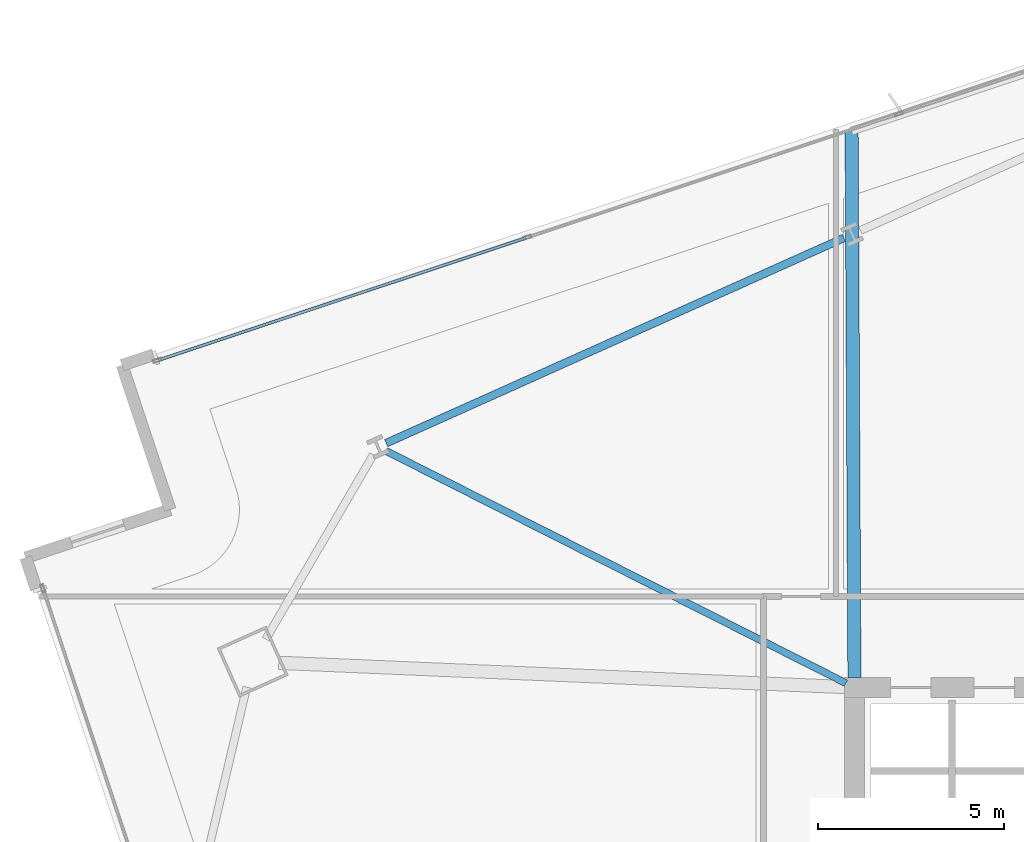
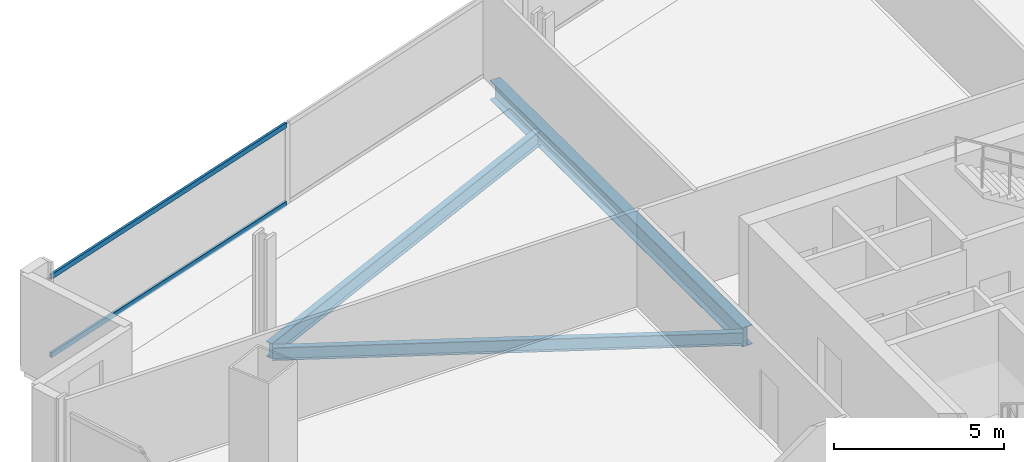
# One storey, part 17 of 34: 3 beams, 2 members, 1 element without a shape of its own.
"""IFC4 building model written with IfcOpenShell, lengths in metres."""

from ifc_helpers import new_model, si_unit, direction, frame, origin, origin_2d, place, context, subcontext, project, spatial, hollow_rectangle, i_section, extrude, material, material_profile, profile_set, type_object, element, aggregate, save


model = new_model("IFC4")

# Units and contexts
model_context = context("Model", 3, precision=1e-05, world=origin(), true_north=direction((0.0, 1.0)))
body_context = subcontext(model_context, "Body", "Model", "MODEL_VIEW")
ifc_project = project(units=[si_unit("LENGTHUNIT", "METRE"), si_unit("AREAUNIT", "SQUARE_METRE"), si_unit("VOLUMEUNIT", "CUBIC_METRE"), si_unit("PLANEANGLEUNIT", "RADIAN"), si_unit("MASSUNIT", "GRAM", prefix="KILO")], contexts=[model_context])

# Site, building, storey
site_placement = place(None, origin())
site = spatial("IfcSite", under=ifc_project, at=site_placement, CompositionType="ELEMENT")
building_placement = place(site_placement, origin())
building = spatial("IfcBuilding", under=site, at=building_placement, Name="Haldenkirk Collegiate Tower", CompositionType="ELEMENT")
storey_placement = place(building_placement, frame((0.0, 0.0, 90.449951171875)))
storey = spatial("IfcBuildingStorey", under=building, at=storey_placement, Name="L21", CompositionType="ELEMENT", Elevation=90.449951171875)

# Beams
ifc_material_1 = material(Name="Steel ASTM A992 Grade 50", Category="steel")
ifc_material_profile_1 = material_profile(ifc_material_1, i_section(OverallWidth=0.35498046875, OverallDepth=0.696044921875, WebThickness=0.015380859375, FlangeThickness=0.02490234375, at=origin_2d()), Name="W27X146")
ifc_profile_set_1 = profile_set([ifc_material_profile_1], Name="Steel ASTM A992 Grade 50")
beam_type_1 = type_object("IfcBeamType", Name="BM-GIRDER-W27X146", PredefinedType="BEAM", material=ifc_profile_set_1)
beam_1_placement = place(storey_placement, frame((26.923583984375, 48.990478515625, -0.64794921875), z_axis=(0.005102904218, -0.9999869801, 0.0), x_axis=(0.9999869801, 0.005102904218, 0.0)))
element("IfcBeam", 1, at=beam_1_placement, inside=storey, type_object=beam_type_1, Name="L21 primary floor girder 12", PredefinedType="BEAM", context=body_context, shape_type="SweptSolid", body=[
    extrude(i_section(OverallWidth=0.35498046875, OverallDepth=0.696044921875, WebThickness=0.015380859375, FlangeThickness=0.02490234375, at=origin_2d()), origin(), (0.0, 0.0, 1.0), 14.73583984375),
])
ifc_material_profile_2 = material_profile(ifc_material_1, i_section(OverallWidth=0.19189453125, OverallDepth=0.462890625, WebThickness=0.010498046875, FlangeThickness=0.017578125, at=origin_2d()), Name="W18X60")
ifc_profile_set_2 = profile_set([ifc_material_profile_2], Name="Steel ASTM A992 Grade 50")
beam_type_2 = type_object("IfcBeamType", Name="BM-JOIST-W18X60", PredefinedType="JOIST", material=ifc_profile_set_2)
beam_2_placement = place(storey_placement, frame((14.378662109375, 40.371337890625, -0.531494140625), z_axis=(0.892707841941, -0.450635893974, 0.0), x_axis=(0.450635893974, 0.892707841941, 0.0)))
element("IfcBeam", 2, at=beam_2_placement, inside=storey, type_object=beam_type_2, Name="L21 composite floor joist 13", PredefinedType="JOIST", context=body_context, shape_type="SweptSolid", body=[
    extrude(i_section(OverallWidth=0.19189453125, OverallDepth=0.462890625, WebThickness=0.010498046875, FlangeThickness=0.017578125, at=origin_2d()), origin(), (0.0, 0.0, 1.0), 13.88330078125),
])
ifc_material_profile_3 = material_profile(ifc_material_1, i_section(OverallWidth=0.2119140625, OverallDepth=0.5439453125, WebThickness=0.01318359375, FlangeThickness=0.021240234375, at=origin_2d()), Name="W21X83")
ifc_profile_set_3 = profile_set([ifc_material_profile_3], Name="Steel ASTM A992 Grade 50")
beam_type_3 = type_object("IfcBeamType", Name="BM-SPANDREL-W21X83", PredefinedType="SPANDREL", material=ifc_profile_set_3)
beam_3_placement = place(storey_placement, frame((26.7138671875, 46.111083984375, -0.572021484375), z_axis=(-0.912476765144, -0.409128528793, 0.0), x_axis=(0.409128528793, -0.912476765144, 0.0)))
element("IfcBeam", 3, at=beam_3_placement, inside=storey, type_object=beam_type_3, Name="L21 perimeter spandrel beam 11", PredefinedType="SPANDREL", context=body_context, shape_type="SweptSolid", body=[
    extrude(i_section(OverallWidth=0.2119140625, OverallDepth=0.5439453125, WebThickness=0.01318359375, FlangeThickness=0.021240234375, at=origin_2d()), origin(), (0.0, 0.0, 1.0), 13.512939453125),
])

# Curtain wall, members
ifc_material_2 = material(Name="Anodised architectural bronze aluminium", Category="aluminium")
curtain_wall_type = type_object("IfcCurtainWallType", Name="CW-SYS1-CONVEX-LOW", PredefinedType="USERDEFINED", material=ifc_material_2)
curtain_wall_placement = place(storey_placement, origin())
curtain_wall = element("IfcCurtainWall", 4, at=curtain_wall_placement, inside=storey, type_object=curtain_wall_type, Name="L21 Lower tower convex bronze-framed unitised curtain wall", ObjectType="UNITISED CURTAIN WALL", PredefinedType="USERDEFINED")
ifc_material_profile_4 = material_profile(ifc_material_2, hollow_rectangle(XDim=0.080078125, YDim=0.179931640625, WallThickness=0.0048828125, at=origin_2d()), Name="CW-TRN-1A")
ifc_profile_set_4 = profile_set([ifc_material_profile_4], Name="Anodised architectural bronze aluminium")
member_type = type_object("IfcMemberType", Name="CW-TRN-1A", PredefinedType="USERDEFINED", material=ifc_profile_set_4)
member_1_placement = place(storey_placement, frame((8.251708984375, 42.8212890625, 0.0400390625), z_axis=(0.948877398021, 0.315644869315, 0.0), x_axis=(-0.315644869315, 0.948877398021, 0.0)))
member_1 = element("IfcMember", 5, at=member_1_placement, type_object=member_type, Name="CW-1A transom 1.1", ObjectType="TRANSOM", PredefinedType="USERDEFINED", context=body_context, shape_type="SweptSolid", body=[
    extrude(hollow_rectangle(XDim=0.080078125, YDim=0.179931640625, WallThickness=0.0048828125, at=origin_2d()), origin(), (0.0, 0.0, 1.0), 10.43017578125),
])
member_2_placement = place(storey_placement, frame((8.251708984375, 42.8212890625, 2.861083984375), z_axis=(0.948877398021, 0.315644869315, 0.0), x_axis=(-0.315644869315, 0.948877398021, 0.0)))
member_2 = element("IfcMember", 6, at=member_2_placement, type_object=member_type, Name="CW-1A transom 1.2", ObjectType="TRANSOM", PredefinedType="USERDEFINED", context=body_context, shape_type="SweptSolid", body=[
    extrude(hollow_rectangle(XDim=0.080078125, YDim=0.179931640625, WallThickness=0.0048828125, at=origin_2d()), origin(), (0.0, 0.0, 1.0), 10.43017578125),
])
aggregate(curtain_wall, [member_1, member_2])

save(model, "model.ifc")
